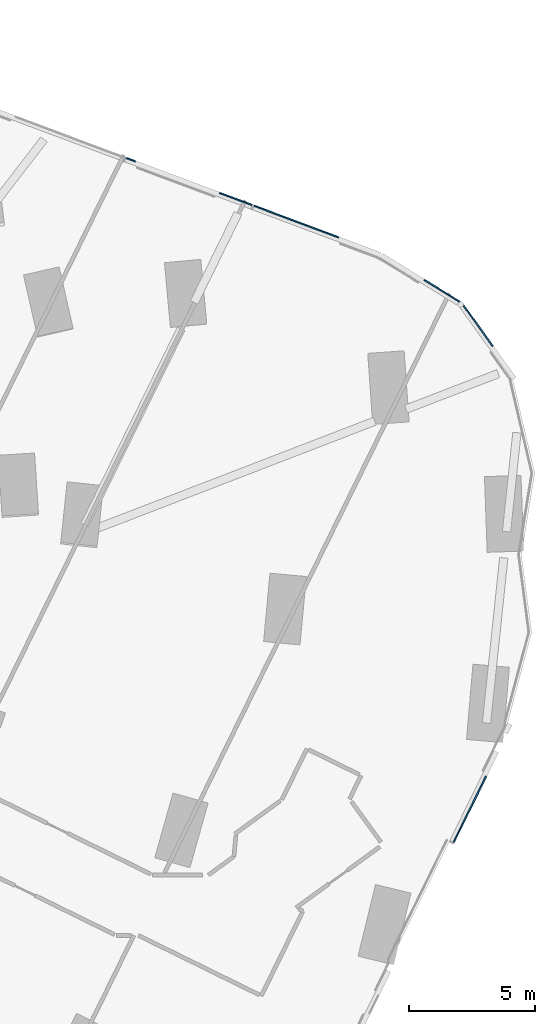
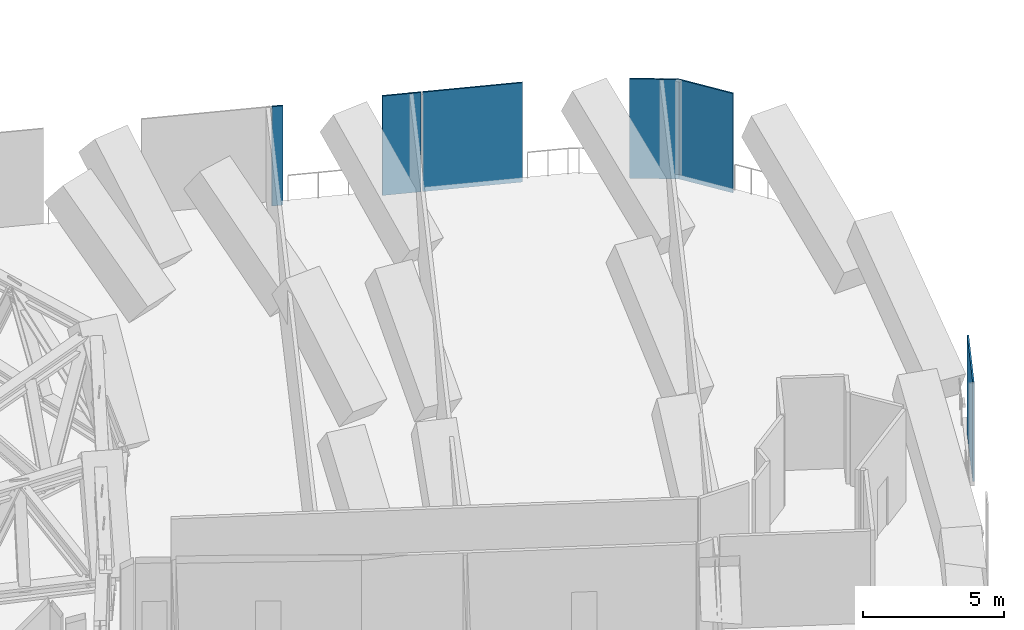
# One storey, part 21 of 34: 6 plates, 4 elements without a shape of their own.
"""IFC4 building model written with IfcOpenShell, lengths in metres."""

from ifc_helpers import new_model, si_unit, direction, frame, origin, origin_2d, place, context, subcontext, project, spatial, rectangle, extrude, material, layer, layer_set, type_object, element, aggregate, save


model = new_model("IFC4")

# Units and contexts
model_context = context("Model", 3, precision=1e-05, world=origin(), true_north=direction((0.0, 1.0)))
body_context = subcontext(model_context, "Body", "Model", "MODEL_VIEW")
ifc_project = project(units=[si_unit("LENGTHUNIT", "METRE"), si_unit("AREAUNIT", "SQUARE_METRE"), si_unit("VOLUMEUNIT", "CUBIC_METRE"), si_unit("PLANEANGLEUNIT", "RADIAN"), si_unit("MASSUNIT", "GRAM", prefix="KILO")], contexts=[model_context])

# Site, building, storey
site_placement = place(None, origin())
site = spatial("IfcSite", under=ifc_project, at=site_placement, CompositionType="ELEMENT")
building_placement = place(site_placement, origin())
building = spatial("IfcBuilding", under=site, at=building_placement, Name="Orlundy Tower", CompositionType="ELEMENT")
storey_placement = place(building_placement, frame((0.0, 0.0, 76.300048828125)))
storey = spatial("IfcBuildingStorey", under=building, at=storey_placement, Name="L18", CompositionType="ELEMENT", Elevation=76.300048828125)

# Curtain wall, plates
ifc_material_1 = material(Name="Aluminium bronze anodised", Category="aluminium")
curtain_wall_type = type_object("IfcCurtainWallType", Name="CW4 wall", PredefinedType="NOTDEFINED", material=ifc_material_1)
curtain_wall_1_placement = place(storey_placement, origin())
curtain_wall_1 = element("IfcCurtainWall", 1, at=curtain_wall_1_placement, inside=storey, type_object=curtain_wall_type, Name="CW4 run 015", PredefinedType="NOTDEFINED")
ifc_material_2 = material(Name="Louvre aluminium bronze anodised", Category="aluminium")
ifc_layer = layer(ifc_material_2, 0.06005859375)
ifc_layer_set = layer_set([ifc_layer], Name="CW4 louvre panel 60")
plate_type = type_object("IfcPlateType", Name="CW4 louvre panel 60", PredefinedType="CURTAIN_PANEL", material=ifc_layer_set)
plate_1_placement = place(storey_placement, frame((43.958251953125, 5.09814453125, -0.30029296875), z_axis=(0.0, 0.0, 1.0), x_axis=(0.936678943544, -0.350189315544, 0.0)))
plate_1 = element("IfcPlate", 2, at=plate_1_placement, type_object=plate_type, Name="CW4 louvre", PredefinedType="CURTAIN_PANEL", context=body_context, shape_type="SweptSolid", body=[
    extrude(rectangle(XDim=0.40185546875, YDim=0.06005859375, at=origin_2d()), origin(), (0.0, 0.0, 1.0), 4.300048828125),
])
plate_2_placement = place(storey_placement, frame((48.14013671875, 3.53466796875, -0.30029296875), z_axis=(0.0, 0.0, 1.0), x_axis=(0.936678943544, -0.350189315544, 0.0)))
plate_2 = element("IfcPlate", 3, at=plate_2_placement, type_object=plate_type, Name="CW4 louvre", PredefinedType="CURTAIN_PANEL", context=body_context, shape_type="SweptSolid", body=[
    extrude(rectangle(XDim=1.390869140625, YDim=0.06005859375, at=origin_2d()), origin(), (0.0, 0.0, 1.0), 4.300048828125),
])
plate_3_placement = place(storey_placement, frame((50.52783203125, 2.64208984375, -0.30029296875), z_axis=(0.0, 0.0, 1.0), x_axis=(0.936678943544, -0.350189315544, 0.0)))
plate_3 = element("IfcPlate", 4, at=plate_3_placement, type_object=plate_type, Name="CW4 louvre", PredefinedType="CURTAIN_PANEL", context=body_context, shape_type="SweptSolid", body=[
    extrude(rectangle(XDim=3.5869140625, YDim=0.06005859375, at=origin_2d()), origin(), (0.0, 0.0, 1.0), 4.300048828125),
])
aggregate(curtain_wall_1, [plate_1, plate_2, plate_3])

# Curtain wall, plate
curtain_wall_2_placement = place(storey_placement, origin())
curtain_wall_2 = element("IfcCurtainWall", 5, at=curtain_wall_2_placement, inside=storey, type_object=curtain_wall_type, Name="CW4 run 016", PredefinedType="NOTDEFINED")
plate_4_placement = place(storey_placement, frame((56.361328125, -0.13818359375, -0.30029296875), z_axis=(0.0, 0.0, 1.0), x_axis=(0.850414609011, -0.526113098849, 0.0)))
plate_4 = element("IfcPlate", 6, at=plate_4_placement, type_object=plate_type, Name="CW4 louvre", PredefinedType="CURTAIN_PANEL", context=body_context, shape_type="SweptSolid", body=[
    extrude(rectangle(XDim=1.7568359375, YDim=0.06005859375, at=origin_2d()), origin(), (0.0, 0.0, 1.0), 4.300048828125),
])
aggregate(curtain_wall_2, [plate_4])

curtain_wall_3_placement = place(storey_placement, origin())
curtain_wall_3 = element("IfcCurtainWall", 7, at=curtain_wall_3_placement, inside=storey, type_object=curtain_wall_type, Name="CW4 run 017", PredefinedType="NOTDEFINED")
plate_5_placement = place(storey_placement, frame((57.721923828125, -1.453125, -0.30029296875), z_axis=(0.0, 0.0, 1.0), x_axis=(0.584041752233, -0.811723617772, 0.0)))
plate_5 = element("IfcPlate", 8, at=plate_5_placement, type_object=plate_type, Name="CW4 louvre", PredefinedType="CURTAIN_PANEL", context=body_context, shape_type="SweptSolid", body=[
    extrude(rectangle(XDim=2.101318359375, YDim=0.06005859375, at=origin_2d()), origin(), (0.0, 0.0, 1.0), 4.300048828125),
])
aggregate(curtain_wall_3, [plate_5])

curtain_wall_4_placement = place(storey_placement, origin())
curtain_wall_4 = element("IfcCurtainWall", 9, at=curtain_wall_4_placement, inside=storey, type_object=curtain_wall_type, Name="CW4 run 022", PredefinedType="NOTDEFINED")
plate_6_placement = place(storey_placement, frame((57.42626953125, -20.70166015625, -0.30029296875), z_axis=(0.0, 0.0, 1.0), x_axis=(-0.441012235503, -0.897501090883, 0.0)))
plate_6 = element("IfcPlate", 10, at=plate_6_placement, type_object=plate_type, Name="CW4 louvre", PredefinedType="CURTAIN_PANEL", context=body_context, shape_type="SweptSolid", body=[
    extrude(rectangle(XDim=2.92822265625, YDim=0.06005859375, at=origin_2d()), origin(), (0.0, 0.0, 1.0), 4.300048828125),
])
aggregate(curtain_wall_4, [plate_6])

save(model, "model.ifc")
